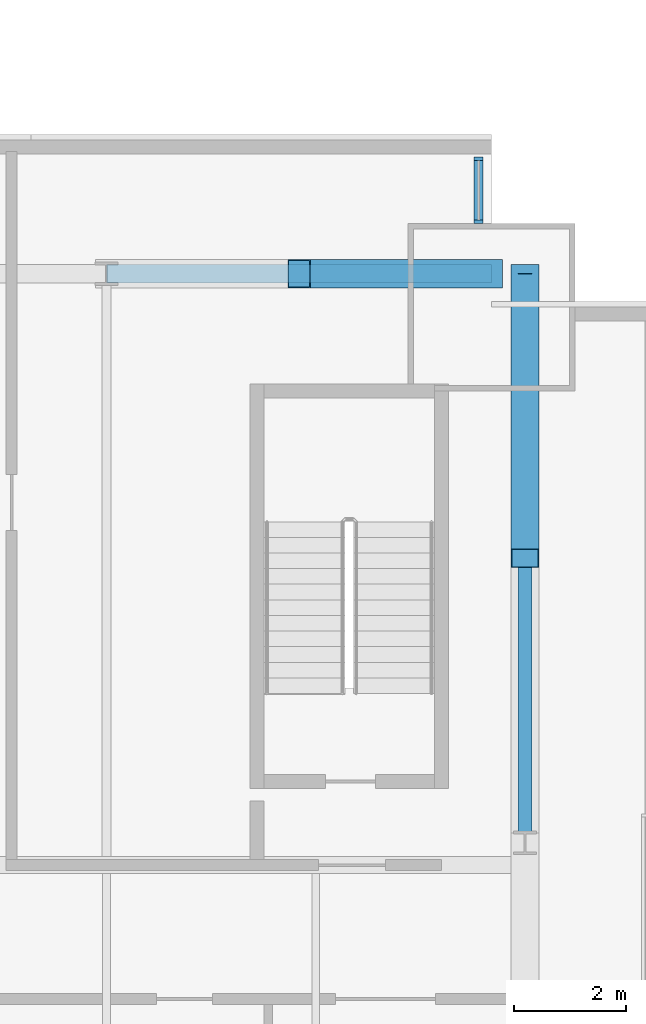
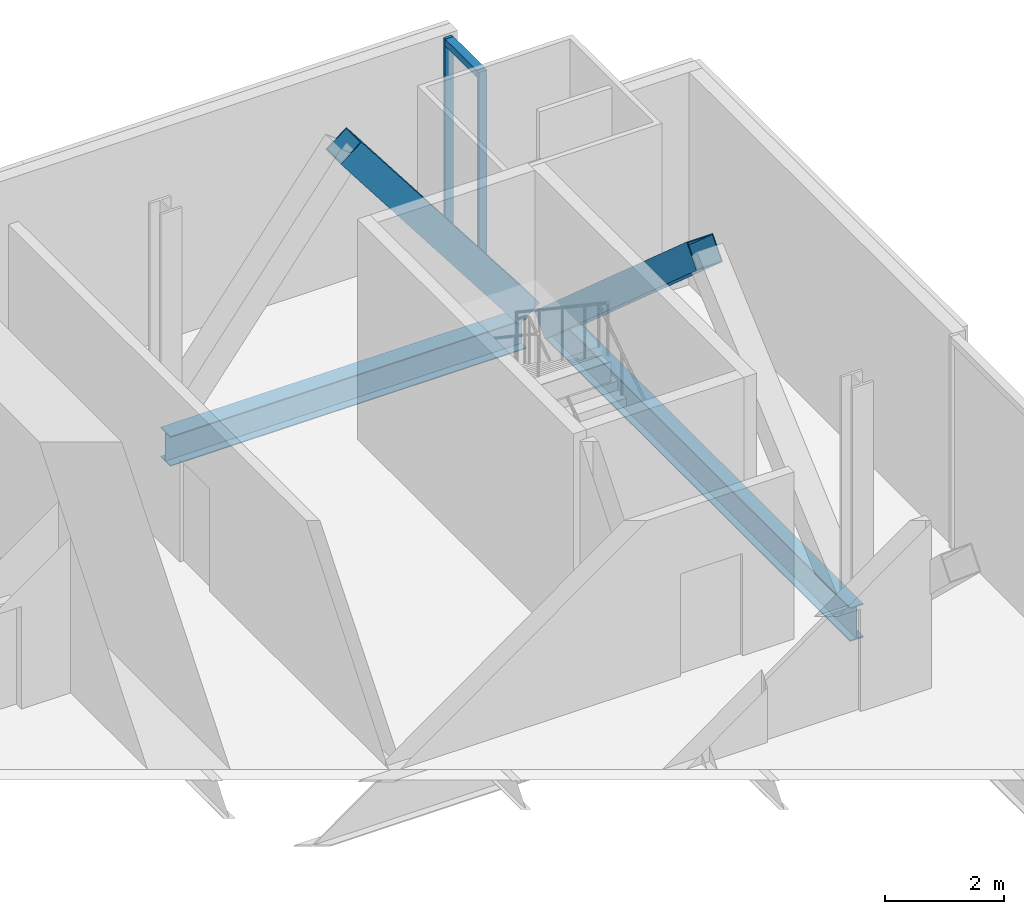
# One storey, part 13 of 21: 5 members, 2 beams, 1 element without a shape of its own.
"""IFC4 building model written with IfcOpenShell, lengths in metres."""

from ifc_helpers import new_model, si_unit, direction, frame, origin, origin_2d, place, context, subcontext, project, spatial, rectangle, hollow_rectangle, i_section, extrude, material, material_profile, profile_set, type_object, element, aggregate, save


model = new_model("IFC4")

# Units and contexts
model_context = context("Model", 3, precision=1e-05, world=origin(), true_north=direction((0.0, 1.0)))
body_context = subcontext(model_context, "Body", "Model", "MODEL_VIEW")
ifc_project = project(units=[si_unit("LENGTHUNIT", "METRE"), si_unit("AREAUNIT", "SQUARE_METRE"), si_unit("VOLUMEUNIT", "CUBIC_METRE"), si_unit("PLANEANGLEUNIT", "RADIAN"), si_unit("MASSUNIT", "GRAM", prefix="KILO")], contexts=[model_context])

# Site, building, storey
site_placement = place(None, origin())
site = spatial("IfcSite", under=ifc_project, at=site_placement, CompositionType="ELEMENT")
building_placement = place(site_placement, origin())
building = spatial("IfcBuilding", under=site, at=building_placement, Name="Bicima Exchange Tower", CompositionType="ELEMENT")
storey_placement = place(building_placement, frame((0.0, 0.0, 57.5)))
storey = spatial("IfcBuildingStorey", under=building, at=storey_placement, Name="L11", CompositionType="ELEMENT", Elevation=57.5)

# Beam
ifc_material_1 = material(Name="Steel ASTM A992 Gr 50", Category="steel")
ifc_material_profile_1 = material_profile(ifc_material_1, i_section(OverallWidth=0.256591796875, OverallDepth=0.693359375, WebThickness=0.014404296875, FlangeThickness=0.023681640625, at=origin_2d()))
ifc_profile_set_1 = profile_set([ifc_material_profile_1], Name="Steel ASTM A992 Gr 50")
beam_type_1 = type_object("IfcBeamType", Name="End girder W27x114", PredefinedType="BEAM", material=ifc_profile_set_1)
beam_1_placement = place(storey_placement, frame((33.60009765625, -2.39990234375, -0.49658203125), z_axis=(0.0, -1.0, 0.0), x_axis=(1.0, 0.0, 0.0)))
element("IfcBeam", 1, at=beam_1_placement, inside=storey, type_object=beam_type_1, Name="End girder", PredefinedType="BEAM", context=body_context, shape_type="SweptSolid", body=[
    extrude(i_section(OverallWidth=0.256591796875, OverallDepth=0.693359375, WebThickness=0.014404296875, FlangeThickness=0.023681640625, at=origin_2d()), origin(), (0.0, 0.0, 1.0), 10.2001953125),
])

# Curtain wall, members
ifc_material_2 = material(Name="Anodised bronze aluminium", Category="aluminium")
curtain_wall_type = type_object("IfcCurtainWallType", Name="Front glass wall", PredefinedType="NOTDEFINED", material=ifc_material_2)
curtain_wall_placement = place(storey_placement, origin())
curtain_wall = element("IfcCurtainWall", 2, at=curtain_wall_placement, inside=storey, type_object=curtain_wall_type, Name="Front glass wall L11 run 20", PredefinedType="NOTDEFINED")
ifc_material_profile_2 = material_profile(ifc_material_2, rectangle(XDim=0.159912109375, YDim=0.06005859375, at=origin_2d()))
ifc_profile_set_2 = profile_set([ifc_material_profile_2], Name="Anodised bronze aluminium")
member_type_1 = type_object("IfcMemberType", Name="Front glass wall mullion 60 x 160", PredefinedType="MULLION", material=ifc_profile_set_2)
member_1_placement = place(storey_placement, frame((32.77001953125, -1.469970703125, 0.0), z_axis=(0.0, 0.0, 1.0), x_axis=(-1.0, 0.0, 0.0)))
member_1 = element("IfcMember", 3, at=member_1_placement, type_object=member_type_1, Name="Front glass wall mullion 1", PredefinedType="MULLION", context=body_context, shape_type="SweptSolid", body=[
    extrude(rectangle(XDim=0.159912109375, YDim=0.06005859375, at=origin_2d()), origin(), (0.0, 0.0, 1.0), 4.35009765625),
])
member_2_placement = place(storey_placement, frame((32.77001953125, -0.340087890625, 0.0), z_axis=(0.0, 0.0, 1.0), x_axis=(-1.0, 0.0, 0.0)))
member_2 = element("IfcMember", 4, at=member_2_placement, type_object=member_type_1, Name="Front glass wall mullion 2", PredefinedType="MULLION", context=body_context, shape_type="SweptSolid", body=[
    extrude(rectangle(XDim=0.159912109375, YDim=0.06005859375, at=origin_2d()), origin(), (0.0, 0.0, 1.0), 4.35009765625),
])
ifc_material_profile_3 = material_profile(ifc_material_2, rectangle(XDim=0.159912109375, YDim=0.139892578125, at=origin_2d()))
ifc_profile_set_3 = profile_set([ifc_material_profile_3], Name="Anodised bronze aluminium")
member_type_2 = type_object("IfcMemberType", Name="Front glass wall transom 140 x 160", PredefinedType="USERDEFINED", material=ifc_profile_set_3)
member_3_placement = place(storey_placement, frame((32.77001953125, -1.43994140625, 4.280029296875), z_axis=(0.0, 1.0, 0.0), x_axis=(-1.0, 0.0, 0.0)))
member_3 = element("IfcMember", 5, at=member_3_placement, type_object=member_type_2, Name="Front glass wall transom 1.1", ObjectType="TRANSOM", PredefinedType="USERDEFINED", context=body_context, shape_type="SweptSolid", body=[
    extrude(rectangle(XDim=0.159912109375, YDim=0.139892578125, at=origin_2d()), origin(), (0.0, 0.0, 1.0), 1.06982421875),
])
aggregate(curtain_wall, [member_1, member_2, member_3])

# Members
ifc_material_3 = material(Name="Steel ASTM A572 Gr 50", Category="steel")
ifc_material_profile_4 = material_profile(ifc_material_3, hollow_rectangle(XDim=0.508056640625, YDim=0.508056640625, WallThickness=0.017822265625, at=origin_2d()))
ifc_profile_set_4 = profile_set([ifc_material_profile_4], Name="Steel ASTM A572 Gr 50")
member_type_3 = type_object("IfcMemberType", Name="Mega brace HSS20x20x3/4", PredefinedType="BRACE", material=ifc_profile_set_4)
member_4_placement = place(storey_placement, frame((33.0, -2.39990234375, 0.0), z_axis=(-0.608426120198, 0.0, 0.793610519248), x_axis=(0.0, -1.0, 0.0)))
element("IfcMember", 6, at=member_4_placement, inside=storey, type_object=member_type_3, Name="Mega brace rear", PredefinedType="BRACE", context=body_context, shape_type="SweptSolid", body=[
    extrude(hollow_rectangle(XDim=0.508056640625, YDim=0.508056640625, WallThickness=0.017822265625, at=origin_2d()), origin(), (0.0, 0.0, 1.0), 5.670166015625),
])
member_5_placement = place(storey_placement, frame((33.60009765625, -2.39990234375, -0.49658203125), z_axis=(0.0, -0.749844140428, 0.661614513948), x_axis=(1.0, 0.0, 0.0)))
element("IfcMember", 7, at=member_5_placement, inside=storey, type_object=member_type_3, Name="Mega brace east end", PredefinedType="BRACE", context=body_context, shape_type="SweptSolid", body=[
    extrude(hollow_rectangle(XDim=0.508056640625, YDim=0.508056640625, WallThickness=0.017822265625, at=origin_2d()), origin(), (0.0, 0.0, 1.0), 6.801513671875),
])

# Beam
ifc_material_profile_5 = material_profile(ifc_material_1, i_section(OverallWidth=0.3251953125, OverallDepth=0.612060546875, WebThickness=0.0126953125, FlangeThickness=0.01904296875, at=origin_2d()))
ifc_profile_set_5 = profile_set([ifc_material_profile_5], Name="Steel ASTM A992 Gr 50")
beam_type_2 = type_object("IfcBeamType", Name="Rear girder W24x104", PredefinedType="BEAM", material=ifc_profile_set_5)
beam_2_placement = place(storey_placement, frame((26.10009765625, -2.39990234375, -0.4560546875), z_axis=(1.0, 0.0, 0.0), x_axis=(0.0, 1.0, 0.0)))
element("IfcBeam", 8, at=beam_2_placement, inside=storey, type_object=beam_type_2, Name="Rear girder", PredefinedType="BEAM", context=body_context, shape_type="SweptSolid", body=[
    extrude(i_section(OverallWidth=0.3251953125, OverallDepth=0.612060546875, WebThickness=0.0126953125, FlangeThickness=0.01904296875, at=origin_2d()), origin(), (0.0, 0.0, 1.0), 6.89990234375),
])

save(model, "model.ifc")
